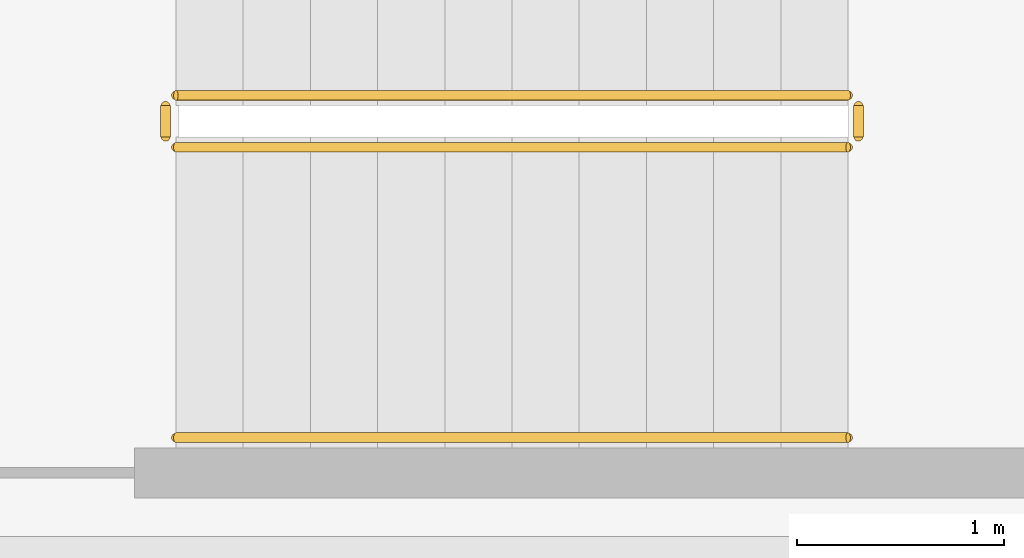
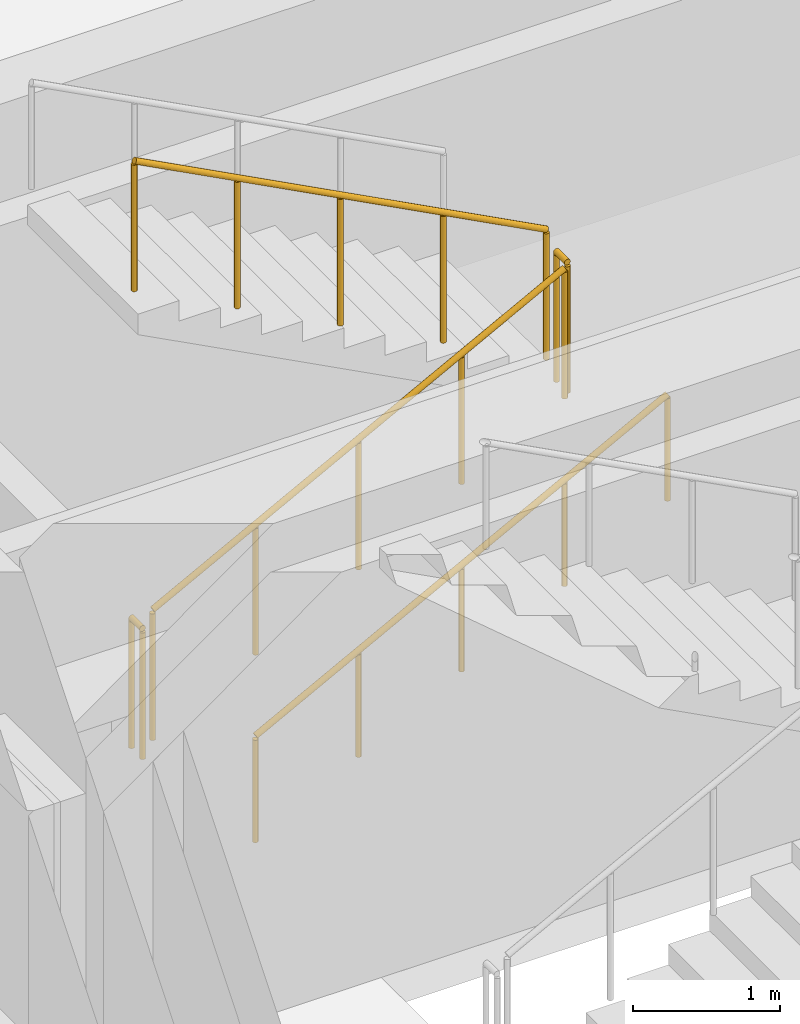
# One storey, part 14 of 15: 5 railings.
"""IFC4 building model written with IfcOpenShell, lengths in metres."""

from ifc_helpers import new_model, si_unit, direction, frame, origin, origin_2d, place, context, subcontext, project, spatial, circle, extrude, material, type_object, element, save


model = new_model("IFC4")

# Units and contexts
model_context = context("Model", 3, precision=1e-05, world=origin(), true_north=direction((0.0, 1.0)))
body_context = subcontext(model_context, "Body", "Model", "MODEL_VIEW")
ifc_project = project(units=[si_unit("LENGTHUNIT", "METRE"), si_unit("AREAUNIT", "SQUARE_METRE"), si_unit("VOLUMEUNIT", "CUBIC_METRE"), si_unit("PLANEANGLEUNIT", "RADIAN"), si_unit("MASSUNIT", "GRAM", prefix="KILO")], contexts=[model_context])

# Site, building, storey
site_placement = place(None, origin())
site = spatial("IfcSite", under=ifc_project, at=site_placement, CompositionType="ELEMENT")
building_placement = place(site_placement, origin())
building = spatial("IfcBuilding", under=site, at=building_placement, Name="Kolvaren Arena Tower", CompositionType="ELEMENT")
storey_placement = place(building_placement, frame((0.0, 0.0, 282.39990234375)))
storey = spatial("IfcBuildingStorey", under=building, at=storey_placement, Name="L69", CompositionType="ELEMENT", Elevation=282.39990234375)

# Railings
ifc_material_1 = material(Name="Painted galvanized steel", Category="steel")
railing_type_1 = type_object("IfcRailingType", Name="GUARD-ST-110", PredefinedType="GUARDRAIL", material=ifc_material_1)
railing_1_placement = place(storey_placement, frame((52.679931640625, 36.39990234375, 0.170654296875)))
element("IfcRailing", 1, at=railing_1_placement, inside=storey, type_object=railing_type_1, Name="L69 ST-E2 stair guard 1", PredefinedType="GUARDRAIL", context=body_context, shape_type="SweptSolid", body=[
    extrude(circle(Radius=0.02392578125, at=origin_2d()), frame((0.0, 0.0, 1.076171875), z_axis=(0.885020909582, 0.0, 0.465551274945), x_axis=(0.0, 1.0, 0.0)), (0.0, 0.0, 1.0), 3.660888671875),
    extrude(circle(Radius=0.02099609375, at=origin_2d()), origin(), (0.0, 0.0, 1.0), 1.052001953125),
    extrude(circle(Radius=0.02099609375, at=origin_2d()), frame((0.81005859375, 0.0, 0.426025390625)), (0.0, 0.0, 1.0), 1.052001953125),
    extrude(circle(Radius=0.02099609375, at=origin_2d()), frame((1.6201171875, 0.0, 0.85205078125)), (0.0, 0.0, 1.0), 1.052001953125),
    extrude(circle(Radius=0.02099609375, at=origin_2d()), frame((2.429931640625, 0.0, 1.2783203125)), (0.0, 0.0, 1.0), 1.052001953125),
    extrude(circle(Radius=0.02099609375, at=origin_2d()), frame((3.239990234375, 0.0, 1.704345703125)), (0.0, 0.0, 1.0), 1.052001953125),
])
railing_2_placement = place(storey_placement, frame((55.969970703125, 36.449951171875, 1.875)))
element("IfcRailing", 2, at=railing_2_placement, inside=storey, type_object=railing_type_1, Name="L69 ST-E2 stair guard 2", PredefinedType="GUARDRAIL", context=body_context, shape_type="SweptSolid", body=[
    extrude(circle(Radius=0.02392578125, at=origin_2d()), frame((0.0, 0.0, 1.076171875), z_axis=(0.0, 1.0, 0.0), x_axis=(-1.0, 0.0, 0.0)), (0.0, 0.0, 1.0), 0.150146484375),
    extrude(circle(Radius=0.02099609375, at=origin_2d()), origin(), (0.0, 0.0, 1.0), 1.052001953125),
    extrude(circle(Radius=0.02099609375, at=origin_2d()), frame((0.0, 0.150146484375, 0.0)), (0.0, 0.0, 1.0), 1.052001953125),
])
railing_3_placement = place(storey_placement, frame((55.919921875, 36.64990234375, 2.045654296875)))
element("IfcRailing", 3, at=railing_3_placement, inside=storey, type_object=railing_type_1, Name="L69 ST-E2 stair guard 3", PredefinedType="GUARDRAIL", context=body_context, shape_type="SweptSolid", body=[
    extrude(circle(Radius=0.02392578125, at=origin_2d()), frame((0.0, 0.0, 1.076171875), z_axis=(-0.885020909582, 0.0, 0.465551274945), x_axis=(0.0, -1.0, 0.0)), (0.0, 0.0, 1.0), 3.660888671875),
    extrude(circle(Radius=0.02099609375, at=origin_2d()), origin(), (0.0, 0.0, 1.0), 1.052001953125),
    extrude(circle(Radius=0.02099609375, at=origin_2d()), frame((-0.81005859375, 0.0, 0.426025390625)), (0.0, 0.0, 1.0), 1.052001953125),
    extrude(circle(Radius=0.02099609375, at=origin_2d()), frame((-1.6201171875, 0.0, 0.85205078125)), (0.0, 0.0, 1.0), 1.052001953125),
    extrude(circle(Radius=0.02099609375, at=origin_2d()), frame((-2.429931640625, 0.0, 1.2783203125)), (0.0, 0.0, 1.0), 1.052001953125),
    extrude(circle(Radius=0.02099609375, at=origin_2d()), frame((-3.239990234375, 0.0, 1.704345703125)), (0.0, 0.0, 1.0), 1.052001953125),
])
railing_4_placement = place(storey_placement, frame((52.6298828125, 36.449951171875, 0.0)))
element("IfcRailing", 4, at=railing_4_placement, inside=storey, type_object=railing_type_1, Name="L69 ST-E2 stair guard 4", PredefinedType="GUARDRAIL", context=body_context, shape_type="SweptSolid", body=[
    extrude(circle(Radius=0.02392578125, at=origin_2d()), frame((0.0, 0.0, 1.076171875), z_axis=(0.0, 1.0, 0.0), x_axis=(-1.0, 0.0, 0.0)), (0.0, 0.0, 1.0), 0.150146484375),
    extrude(circle(Radius=0.02099609375, at=origin_2d()), origin(), (0.0, 0.0, 1.0), 1.052001953125),
    extrude(circle(Radius=0.02099609375, at=origin_2d()), frame((0.0, 0.150146484375, 0.0)), (0.0, 0.0, 1.0), 1.052001953125),
])
ifc_material_2 = material(Name="Brushed stainless steel handrail", Category="steel")
railing_type_2 = type_object("IfcRailingType", Name="HRAIL-900", PredefinedType="HANDRAIL", material=ifc_material_2)
railing_5_placement = place(storey_placement, frame((52.679931640625, 35.0, 0.170654296875)))
element("IfcRailing", 5, at=railing_5_placement, inside=storey, type_object=railing_type_2, Name="L69 ST-E2 stair handrail 1", PredefinedType="HANDRAIL", context=body_context, shape_type="SweptSolid", body=[
    extrude(circle(Radius=0.02392578125, at=origin_2d()), frame((0.0, 0.0, 0.8759765625), z_axis=(0.885020909582, 0.0, 0.465551274945), x_axis=(0.0, 1.0, 0.0)), (0.0, 0.0, 1.0), 3.660888671875),
    extrude(circle(Radius=0.02099609375, at=origin_2d()), origin(), (0.0, 0.0, 1.0), 0.851806640625),
    extrude(circle(Radius=0.02099609375, at=origin_2d()), frame((0.81005859375, 0.0, 0.426025390625)), (0.0, 0.0, 1.0), 0.851806640625),
    extrude(circle(Radius=0.02099609375, at=origin_2d()), frame((1.6201171875, 0.0, 0.85205078125)), (0.0, 0.0, 1.0), 0.851806640625),
    extrude(circle(Radius=0.02099609375, at=origin_2d()), frame((2.429931640625, 0.0, 1.2783203125)), (0.0, 0.0, 1.0), 0.851806640625),
    extrude(circle(Radius=0.02099609375, at=origin_2d()), frame((3.239990234375, 0.0, 1.704345703125)), (0.0, 0.0, 1.0), 0.851806640625),
])

save(model, "model.ifc")
